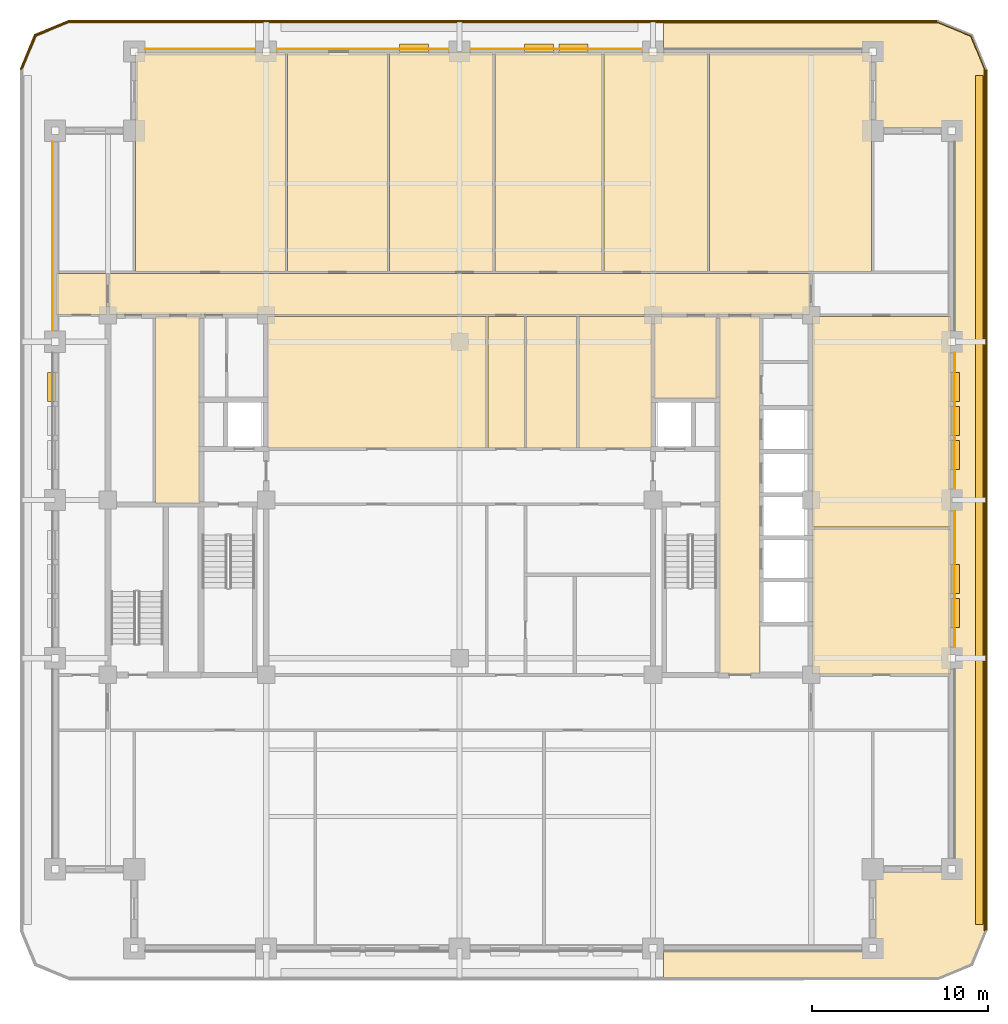
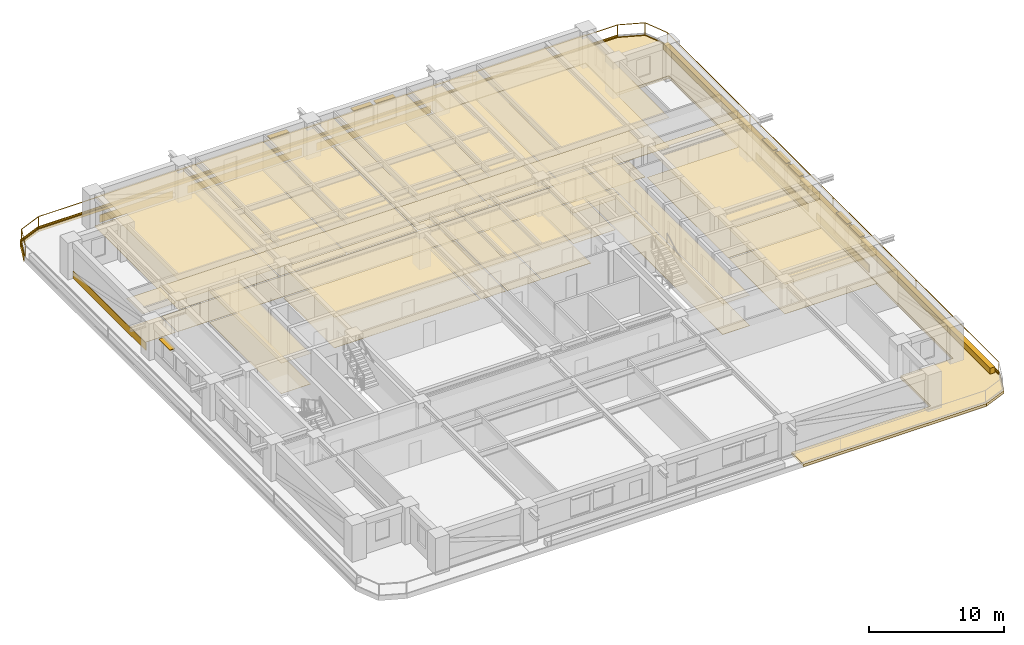
# One storey, part 13 of 14: 46 coverings, 9 shading devices, 2 railings.
"""IFC4 building model written with IfcOpenShell, lengths in metres."""

from ifc_helpers import new_model, si_unit, direction, frame, frame_2d, origin, origin_2d, place, context, subcontext, project, spatial, polyline, rectangle, outline, extrude, material, layer, layer_set, type_object, element, save


model = new_model("IFC4")

# Units and contexts
model_context = context("Model", 3, precision=1e-05, world=origin(), true_north=direction((0.0, 1.0)))
body_context = subcontext(model_context, "Body", "Model", "MODEL_VIEW")
ifc_project = project(units=[si_unit("LENGTHUNIT", "METRE"), si_unit("AREAUNIT", "SQUARE_METRE"), si_unit("VOLUMEUNIT", "CUBIC_METRE"), si_unit("PLANEANGLEUNIT", "RADIAN"), si_unit("MASSUNIT", "GRAM", prefix="KILO")], contexts=[model_context])

# Site, building, storey
site_placement = place(None, origin())
site = spatial("IfcSite", under=ifc_project, at=site_placement, CompositionType="ELEMENT")
building_placement = place(site_placement, origin())
building = spatial("IfcBuilding", under=site, at=building_placement, Name="Zulmaris Gate Convention Tower", CompositionType="ELEMENT")
storey_placement = place(building_placement, frame((0.0, 0.0, 94.929931640625)))
storey = spatial("IfcBuildingStorey", under=building, at=storey_placement, Name="L23", CompositionType="ELEMENT", Elevation=94.929931640625)

# Coverings
ifc_material_1 = material(Name="Precast concrete C40/50", Category="concrete")
ifc_layer_1 = layer(ifc_material_1, 0.0400390625, Name="Precast concrete C40/50")
ifc_layer_set_1 = layer_set([ifc_layer_1], Name="Precast concrete C40/50")
covering_type_1 = type_object("IfcCoveringType", Name="CLAD-SPANDREL-PRECAST", PredefinedType="CLADDING", material=ifc_layer_set_1)
covering_1_placement = place(storey_placement, frame((-11.6298828125, 25.64990234375, 0.0), z_axis=(0.0, 0.0, 1.0), x_axis=(-1.0, 0.0, 0.0)))
element("IfcCovering", 1, at=covering_1_placement, inside=storey, type_object=covering_type_1, Name="CLD-L23-N-0_0", PredefinedType="CLADDING", context=body_context, shape_type="SweptSolid", body=[
    extrude(rectangle(XDim=6.240234375, YDim=0.0400390625, at=frame_2d((3.1201171875, 0.0))), origin(), (0.0, 0.0, 1.0), 0.679931640625),
])
for number, where, z_axis, x_axis, name in (
    (2, (-0.6298828125, 25.64990234375, 0.0), (0.0, 0.0, 1.0), (-1.0, 0.0, 0.0), "CLD-L23-N-1_0"),
    (3, (10.3701171875, 25.64990234375, 0.0), (0.0, 0.0, 1.0), (-1.0, 0.0, 0.0), "CLD-L23-N-2_0"),
):
    element("IfcCovering", number, at=place(storey_placement, frame(where, z_axis=z_axis, x_axis=x_axis)), inside=storey, type_object=covering_type_1, Name=name, PredefinedType="CLADDING", context=body_context, shape_type="SweptSolid", body=[
        extrude(rectangle(XDim=9.740234375, YDim=0.0400390625, at=frame_2d((4.8701171875, 0.0))), origin(), (0.0, 0.0, 1.0), 0.679931640625),
    ])
for number, where, z_axis, x_axis, name in (
    (4, (28.14990234375, -8.3701171875, 0.0), (0.0, 0.0, 1.0), (0.0, 1.0, 0.0), "CLD-L23-E-1_0"),
    (5, (28.14990234375, 0.6298828125, 0.0), (0.0, 0.0, 1.0), (0.0, 1.0, 0.0), "CLD-L23-E-2_0"),
):
    element("IfcCovering", number, at=place(storey_placement, frame(where, z_axis=z_axis, x_axis=x_axis)), inside=storey, type_object=covering_type_1, Name=name, PredefinedType="CLADDING", context=body_context, shape_type="SweptSolid", body=[
        extrude(rectangle(XDim=7.740234375, YDim=0.0400390625, at=frame_2d((3.8701171875, 0.0))), origin(), (0.0, 0.0, 1.0), 0.679931640625),
    ])
covering_2_placement = place(storey_placement, frame((-23.14990234375, 20.3701171875, 0.0), z_axis=(0.0, 0.0, 1.0), x_axis=(0.0, -1.0, 0.0)))
element("IfcCovering", 6, at=covering_2_placement, inside=storey, type_object=covering_type_1, Name="CLD-L23-W-3_0", PredefinedType="CLADDING", context=body_context, shape_type="SweptSolid", body=[
    extrude(rectangle(XDim=10.740234375, YDim=0.0400390625, at=frame_2d((5.3701171875, 0.0))), origin(), (0.0, 0.0, 1.0), 0.679931640625),
])
ifc_material_2 = material(Name="White Glazed Architectural Precast Concrete C40/50", Category="concrete")
ifc_layer_2 = layer(ifc_material_2, 0.239990234375, Name="White Glazed Architectural Precast Concrete C40/50")
ifc_layer_set_2 = layer_set([ifc_layer_2], Name="White Glazed Architectural Precast Concrete C40/50")
covering_type_2 = type_object("IfcCoveringType", Name="CLAD-TRAY-DECK", PredefinedType="CLADDING", material=ifc_layer_set_2)
covering_3_placement = place(storey_placement, frame((0.0, 0.0, -0.25)))
element("IfcCovering", 7, at=covering_3_placement, inside=storey, type_object=covering_type_2, Name="L23 East Rounded-Fascia Planter Tray Deck", PredefinedType="CLADDING", context=body_context, shape_type="SweptSolid", body=[
    extrude(outline(polyline([(27.199951171875, 27.300048828125), (29.179931640625, 26.47998046875), (30.0, 24.5), (30.0, -24.5), (29.179931640625, -26.47998046875), (27.199951171875, -27.300048828125), (11.60205078125, -27.300048828125), (11.60205078125, -25.5), (23.5, -25.5), (23.5, -21.0), (28.0, -21.0), (28.0, 21.0), (23.5, 21.0), (23.5, 25.5), (11.60205078125, 25.5), (11.60205078125, 27.300048828125), (27.199951171875, 27.300048828125)])), origin(), (0.0, 0.0, 1.0), 0.239990234375),
])
ifc_layer_3 = layer(ifc_material_2, 0.080078125, Name="White Glazed Architectural Precast Concrete C40/50")
ifc_layer_set_3 = layer_set([ifc_layer_3], Name="White Glazed Architectural Precast Concrete C40/50")
covering_type_3 = type_object("IfcCoveringType", Name="CLAD-TRAY-FASCIA", PredefinedType="CLADDING", material=ifc_layer_set_3)
covering_4_placement = place(storey_placement, frame((29.9599609375, -24.5, -0.2900390625), z_axis=(0.0, 0.0, 1.0), x_axis=(0.0, 1.0, 0.0)))
element("IfcCovering", 8, at=covering_4_placement, inside=storey, type_object=covering_type_3, Name="FSC-L23-TR-05", PredefinedType="CLADDING", context=body_context, shape_type="SweptSolid", body=[
    extrude(rectangle(XDim=49.0, YDim=0.080078125, at=frame_2d((24.5, 0.0))), origin(), (0.0, 0.0, 1.0), 0.43994140625),
])
covering_5_placement = place(storey_placement, frame((27.199951171875, 27.260009765625, -0.2900390625), z_axis=(0.0, 0.0, 1.0), x_axis=(-1.0, 0.0, 0.0)))
element("IfcCovering", 9, at=covering_5_placement, inside=storey, type_object=covering_type_3, Name="FSC-L23-TR-08", PredefinedType="CLADDING", context=body_context, shape_type="SweptSolid", body=[
    extrude(rectangle(XDim=49.39990234375, YDim=0.080078125, at=frame_2d((24.699951171875, 0.0))), origin(), (0.0, 0.0, 1.0), 0.43994140625),
])
covering_6_placement = place(storey_placement, frame((-22.184814453125, 27.262939453125, -0.2900390625), z_axis=(0.0, 0.0, 1.0), x_axis=(-0.923873803533, -0.382697263049, 0.0)))
element("IfcCovering", 10, at=covering_6_placement, inside=storey, type_object=covering_type_3, Name="FSC-L23-TR-09", PredefinedType="CLADDING", context=body_context, shape_type="SweptSolid", body=[
    extrude(rectangle(XDim=2.142822265625, YDim=0.080078125, at=frame_2d((1.0712890625, 0.0))), origin(), (0.0, 0.0, 1.0), 0.43994140625),
])
covering_7_placement = place(storey_placement, frame((-24.142822265625, 26.464599609375, -0.2900390625), z_axis=(0.0, 0.0, 1.0), x_axis=(-0.382656984709, -0.923890487046, 0.0)))
element("IfcCovering", 11, at=covering_7_placement, inside=storey, type_object=covering_type_3, Name="FSC-L23-TR-10", PredefinedType="CLADDING", context=body_context, shape_type="SweptSolid", body=[
    extrude(rectangle(XDim=2.14306640625, YDim=0.080078125, at=frame_2d((1.071533203125, 0.0))), origin(), (0.0, 0.0, 1.0), 0.43994140625),
])
ifc_material_3 = material(Name="Mineral Fibre Acoustic Ceiling Tile")
ifc_layer_4 = layer(ifc_material_3, 0.02001953125, Name="Mineral Fibre Acoustic Ceiling Tile")
ifc_layer_set_4 = layer_set([ifc_layer_4], Name="Mineral Fibre Acoustic Ceiling Tile")
covering_type_4 = type_object("IfcCoveringType", Name="CLG-ACOUSTIC-600", PredefinedType="CEILING", material=ifc_layer_set_4)
covering_8_placement = place(storey_placement, frame((0.0, 0.0, 2.753173828125)))
element("IfcCovering", 12, at=covering_8_placement, inside=storey, type_object=covering_type_4, Name="CLG-L23-R13", PredefinedType="CEILING", context=body_context, shape_type="SweptSolid", body=[
    extrude(outline(polyline([(11.06005859375, 5.760009765625), (14.639892578125, 5.760009765625), (14.639892578125, 10.43994140625), (11.06005859375, 10.43994140625), (11.06005859375, 5.760009765625)])), origin(), (0.0, 0.0, 1.0), 0.019775390625),
])
covering_9_placement = place(storey_placement, frame((0.0, 0.0, 2.753173828125)))
element("IfcCovering", 13, at=covering_9_placement, inside=storey, type_object=covering_type_4, Name="CLG-L23-R17", PredefinedType="CEILING", context=body_context, shape_type="SweptSolid", body=[
    extrude(outline(polyline([(-17.2900390625, -0.18994140625), (-14.760009765625, -0.18994140625), (-14.760009765625, 10.43994140625), (-17.2900390625, 10.43994140625), (-17.2900390625, -0.18994140625)])), origin(), (0.0, 0.0, 1.0), 0.019775390625),
])
covering_10_placement = place(storey_placement, frame((0.0, 0.0, 2.753173828125)))
element("IfcCovering", 14, at=covering_10_placement, inside=storey, type_object=covering_type_4, Name="CLG-L23-R23", PredefinedType="CEILING", context=body_context, shape_type="SweptSolid", body=[
    extrude(outline(polyline([(14.760009765625, -9.889892578125), (17.090087890625, -9.889892578125), (17.090087890625, 10.43994140625), (14.760009765625, 10.43994140625), (14.760009765625, -9.889892578125)])), origin(), (0.0, 0.0, 1.0), 0.019775390625),
])
covering_11_placement = place(storey_placement, frame((0.0, 0.0, 2.753173828125)))
element("IfcCovering", 15, at=covering_11_placement, inside=storey, type_object=covering_type_4, Name="CLG-L23-R28", PredefinedType="CEILING", context=body_context, shape_type="SweptSolid", body=[
    extrude(outline(polyline([(-19.93994140625, 10.56005859375), (19.93994140625, 10.56005859375), (19.93994140625, 12.889892578125), (-19.93994140625, 12.889892578125), (-19.93994140625, 10.56005859375)])), origin(), (0.0, 0.0, 1.0), 0.019775390625),
])
covering_12_placement = place(storey_placement, frame((0.0, 0.0, 2.753173828125)))
element("IfcCovering", 16, at=covering_12_placement, inside=storey, type_object=covering_type_4, Name="CLG-L23-R31", PredefinedType="CEILING", context=body_context, shape_type="SweptSolid", body=[
    extrude(outline(polyline([(1.610107421875, 2.9599609375), (3.68994140625, 2.9599609375), (3.68994140625, 10.43994140625), (1.610107421875, 10.43994140625), (1.610107421875, 2.9599609375)])), origin(), (0.0, 0.0, 1.0), 0.019775390625),
])
covering_13_placement = place(storey_placement, frame((0.0, 0.0, 2.655029296875)))
element("IfcCovering", 17, at=covering_13_placement, inside=storey, type_object=covering_type_4, Name="CLG-L23-R33", PredefinedType="CEILING", context=body_context, shape_type="SweptSolid", body=[
    extrude(outline(polyline([(-18.43994140625, 13.010009765625), (-9.909912109375, 13.010009765625), (-9.909912109375, 25.43994140625), (-18.43994140625, 25.43994140625), (-18.43994140625, 13.010009765625)])), origin(), (0.0, 0.0, 1.0), 0.02001953125),
])
covering_14_placement = place(storey_placement, frame((0.0, 0.0, 2.655029296875)))
element("IfcCovering", 18, at=covering_14_placement, inside=storey, type_object=covering_type_4, Name="CLG-L23-R34", PredefinedType="CEILING", context=body_context, shape_type="SweptSolid", body=[
    extrude(outline(polyline([(-9.7900390625, 13.010009765625), (-4.110107421875, 13.010009765625), (-4.110107421875, 25.43994140625), (-9.7900390625, 25.43994140625), (-9.7900390625, 13.010009765625)])), origin(), (0.0, 0.0, 1.0), 0.02001953125),
])
covering_15_placement = place(storey_placement, frame((0.0, 0.0, 2.655029296875)))
element("IfcCovering", 19, at=covering_15_placement, inside=storey, type_object=covering_type_4, Name="CLG-L23-R35", PredefinedType="CEILING", context=body_context, shape_type="SweptSolid", body=[
    extrude(outline(polyline([(-3.989990234375, 13.010009765625), (1.889892578125, 13.010009765625), (1.889892578125, 25.43994140625), (-3.989990234375, 25.43994140625), (-3.989990234375, 13.010009765625)])), origin(), (0.0, 0.0, 1.0), 0.02001953125),
])
covering_16_placement = place(storey_placement, frame((0.0, 0.0, 2.655029296875)))
element("IfcCovering", 20, at=covering_16_placement, inside=storey, type_object=covering_type_4, Name="CLG-L23-R36", PredefinedType="CEILING", context=body_context, shape_type="SweptSolid", body=[
    extrude(outline(polyline([(2.010009765625, 13.010009765625), (8.090087890625, 13.010009765625), (8.090087890625, 25.43994140625), (2.010009765625, 25.43994140625), (2.010009765625, 13.010009765625)])), origin(), (0.0, 0.0, 1.0), 0.02001953125),
])
covering_17_placement = place(storey_placement, frame((0.0, 0.0, 2.655029296875)))
element("IfcCovering", 21, at=covering_17_placement, inside=storey, type_object=covering_type_4, Name="CLG-L23-R37", PredefinedType="CEILING", context=body_context, shape_type="SweptSolid", body=[
    extrude(outline(polyline([(8.2099609375, 13.010009765625), (14.090087890625, 13.010009765625), (14.090087890625, 25.43994140625), (8.2099609375, 25.43994140625), (8.2099609375, 13.010009765625)])), origin(), (0.0, 0.0, 1.0), 0.02001953125),
])
covering_18_placement = place(storey_placement, frame((0.0, 0.0, 2.655029296875)))
element("IfcCovering", 22, at=covering_18_placement, inside=storey, type_object=covering_type_4, Name="CLG-L23-R38", PredefinedType="CEILING", context=body_context, shape_type="SweptSolid", body=[
    extrude(outline(polyline([(14.2099609375, 13.010009765625), (23.43994140625, 13.010009765625), (23.43994140625, 25.43994140625), (14.2099609375, 25.43994140625), (14.2099609375, 13.010009765625)])), origin(), (0.0, 0.0, 1.0), 0.02001953125),
])
covering_19_placement = place(storey_placement, frame((0.0, 0.0, 2.753173828125)))
element("IfcCovering", 23, at=covering_19_placement, inside=storey, type_object=covering_type_4, Name="CLG-L23-R42", PredefinedType="CEILING", context=body_context, shape_type="SweptSolid", body=[
    extrude(outline(polyline([(-10.93994140625, 2.9599609375), (1.489990234375, 2.9599609375), (1.489990234375, 10.43994140625), (-10.93994140625, 10.43994140625), (-10.93994140625, 2.9599609375)])), origin(), (0.0, 0.0, 1.0), 0.019775390625),
])
covering_20_placement = place(storey_placement, frame((0.0, 0.0, 2.753173828125)))
element("IfcCovering", 24, at=covering_20_placement, inside=storey, type_object=covering_type_4, Name="CLG-L23-R43", PredefinedType="CEILING", context=body_context, shape_type="SweptSolid", body=[
    extrude(outline(polyline([(3.81005859375, 2.9599609375), (6.659912109375, 2.9599609375), (6.659912109375, 10.43994140625), (3.81005859375, 10.43994140625), (3.81005859375, 2.9599609375)])), origin(), (0.0, 0.0, 1.0), 0.019775390625),
])
covering_21_placement = place(storey_placement, frame((0.0, 0.0, 2.753173828125)))
element("IfcCovering", 25, at=covering_21_placement, inside=storey, type_object=covering_type_4, Name="CLG-L23-R44", PredefinedType="CEILING", context=body_context, shape_type="SweptSolid", body=[
    extrude(outline(polyline([(6.780029296875, 2.9599609375), (10.93994140625, 2.9599609375), (10.93994140625, 10.43994140625), (6.780029296875, 10.43994140625), (6.780029296875, 2.9599609375)])), origin(), (0.0, 0.0, 1.0), 0.019775390625),
])
covering_22_placement = place(storey_placement, frame((0.0, 0.0, 2.655029296875)))
element("IfcCovering", 26, at=covering_22_placement, inside=storey, type_object=covering_type_4, Name="CLG-L23-R49", PredefinedType="CEILING", context=body_context, shape_type="SweptSolid", body=[
    extrude(outline(polyline([(-22.93994140625, 10.56005859375), (-20.06005859375, 10.56005859375), (-20.06005859375, 12.889892578125), (-22.93994140625, 12.889892578125), (-22.93994140625, 10.56005859375)])), origin(), (0.0, 0.0, 1.0), 0.02001953125),
])
covering_23_placement = place(storey_placement, frame((0.0, 0.0, 2.655029296875)))
element("IfcCovering", 27, at=covering_23_placement, inside=storey, type_object=covering_type_4, Name="CLG-L23-R54", PredefinedType="CEILING", context=body_context, shape_type="SweptSolid", body=[
    extrude(outline(polyline([(20.06005859375, -1.5400390625), (27.93994140625, -1.5400390625), (27.93994140625, 10.43994140625), (20.06005859375, 10.43994140625), (20.06005859375, -1.5400390625)])), origin(), (0.0, 0.0, 1.0), 0.02001953125),
])
covering_24_placement = place(storey_placement, frame((0.0, 0.0, 2.655029296875)))
element("IfcCovering", 28, at=covering_24_placement, inside=storey, type_object=covering_type_4, Name="CLG-L23-R55", PredefinedType="CEILING", context=body_context, shape_type="SweptSolid", body=[
    extrude(outline(polyline([(20.06005859375, -9.889892578125), (27.93994140625, -9.889892578125), (27.93994140625, -1.659912109375), (20.06005859375, -1.659912109375), (20.06005859375, -9.889892578125)])), origin(), (0.0, 0.0, 1.0), 0.02001953125),
])
ifc_material_4 = material(Name="Woven Acoustic Wool Carpet Tile")
ifc_layer_5 = layer(ifc_material_4, 0.02001953125, Name="Woven Acoustic Wool Carpet Tile")
ifc_layer_set_5 = layer_set([ifc_layer_5], Name="Woven Acoustic Wool Carpet Tile")
covering_type_5 = type_object("IfcCoveringType", Name="FLR-CARPET-12", PredefinedType="FLOORING", material=ifc_layer_set_5)
covering_25_placement = place(storey_placement, origin())
element("IfcCovering", 29, at=covering_25_placement, inside=storey, type_object=covering_type_5, Name="FLR-L23-R13", PredefinedType="FLOORING", context=body_context, shape_type="SweptSolid", body=[
    extrude(outline(polyline([(11.06005859375, 5.760009765625), (14.639892578125, 5.760009765625), (14.639892578125, 10.43994140625), (11.06005859375, 10.43994140625), (11.06005859375, 5.760009765625)])), origin(), (0.0, 0.0, 1.0), 0.02001953125),
])
covering_26_placement = place(storey_placement, origin())
element("IfcCovering", 30, at=covering_26_placement, inside=storey, type_object=covering_type_5, Name="FLR-L23-R17", PredefinedType="FLOORING", context=body_context, shape_type="SweptSolid", body=[
    extrude(outline(polyline([(-17.2900390625, -0.18994140625), (-14.760009765625, -0.18994140625), (-14.760009765625, 10.43994140625), (-17.2900390625, 10.43994140625), (-17.2900390625, -0.18994140625)])), origin(), (0.0, 0.0, 1.0), 0.02001953125),
])
covering_27_placement = place(storey_placement, origin())
element("IfcCovering", 31, at=covering_27_placement, inside=storey, type_object=covering_type_5, Name="FLR-L23-R23", PredefinedType="FLOORING", context=body_context, shape_type="SweptSolid", body=[
    extrude(outline(polyline([(14.760009765625, -9.889892578125), (17.090087890625, -9.889892578125), (17.090087890625, 10.43994140625), (14.760009765625, 10.43994140625), (14.760009765625, -9.889892578125)])), origin(), (0.0, 0.0, 1.0), 0.02001953125),
])
covering_28_placement = place(storey_placement, origin())
element("IfcCovering", 32, at=covering_28_placement, inside=storey, type_object=covering_type_5, Name="FLR-L23-R28", PredefinedType="FLOORING", context=body_context, shape_type="SweptSolid", body=[
    extrude(outline(polyline([(-19.93994140625, 10.56005859375), (19.93994140625, 10.56005859375), (19.93994140625, 12.889892578125), (-19.93994140625, 12.889892578125), (-19.93994140625, 10.56005859375)])), origin(), (0.0, 0.0, 1.0), 0.02001953125),
])
covering_29_placement = place(storey_placement, origin())
element("IfcCovering", 33, at=covering_29_placement, inside=storey, type_object=covering_type_5, Name="FLR-L23-R31", PredefinedType="FLOORING", context=body_context, shape_type="SweptSolid", body=[
    extrude(outline(polyline([(1.610107421875, 2.9599609375), (3.68994140625, 2.9599609375), (3.68994140625, 10.43994140625), (1.610107421875, 10.43994140625), (1.610107421875, 2.9599609375)])), origin(), (0.0, 0.0, 1.0), 0.02001953125),
])
covering_30_placement = place(storey_placement, origin())
element("IfcCovering", 34, at=covering_30_placement, inside=storey, type_object=covering_type_5, Name="FLR-L23-R34", PredefinedType="FLOORING", context=body_context, shape_type="SweptSolid", body=[
    extrude(outline(polyline([(-9.7900390625, 13.010009765625), (-4.110107421875, 13.010009765625), (-4.110107421875, 25.43994140625), (-9.7900390625, 25.43994140625), (-9.7900390625, 13.010009765625)])), origin(), (0.0, 0.0, 1.0), 0.02001953125),
])
covering_31_placement = place(storey_placement, origin())
element("IfcCovering", 35, at=covering_31_placement, inside=storey, type_object=covering_type_5, Name="FLR-L23-R35", PredefinedType="FLOORING", context=body_context, shape_type="SweptSolid", body=[
    extrude(outline(polyline([(-3.989990234375, 13.010009765625), (1.889892578125, 13.010009765625), (1.889892578125, 25.43994140625), (-3.989990234375, 25.43994140625), (-3.989990234375, 13.010009765625)])), origin(), (0.0, 0.0, 1.0), 0.02001953125),
])
covering_32_placement = place(storey_placement, origin())
element("IfcCovering", 36, at=covering_32_placement, inside=storey, type_object=covering_type_5, Name="FLR-L23-R36", PredefinedType="FLOORING", context=body_context, shape_type="SweptSolid", body=[
    extrude(outline(polyline([(2.010009765625, 13.010009765625), (8.090087890625, 13.010009765625), (8.090087890625, 25.43994140625), (2.010009765625, 25.43994140625), (2.010009765625, 13.010009765625)])), origin(), (0.0, 0.0, 1.0), 0.02001953125),
])
covering_33_placement = place(storey_placement, origin())
element("IfcCovering", 37, at=covering_33_placement, inside=storey, type_object=covering_type_5, Name="FLR-L23-R38", PredefinedType="FLOORING", context=body_context, shape_type="SweptSolid", body=[
    extrude(outline(polyline([(14.2099609375, 13.010009765625), (23.43994140625, 13.010009765625), (23.43994140625, 25.43994140625), (14.2099609375, 25.43994140625), (14.2099609375, 13.010009765625)])), origin(), (0.0, 0.0, 1.0), 0.02001953125),
])
covering_34_placement = place(storey_placement, origin())
element("IfcCovering", 38, at=covering_34_placement, inside=storey, type_object=covering_type_5, Name="FLR-L23-R44", PredefinedType="FLOORING", context=body_context, shape_type="SweptSolid", body=[
    extrude(outline(polyline([(6.780029296875, 2.9599609375), (10.93994140625, 2.9599609375), (10.93994140625, 10.43994140625), (6.780029296875, 10.43994140625), (6.780029296875, 2.9599609375)])), origin(), (0.0, 0.0, 1.0), 0.02001953125),
])
covering_35_placement = place(storey_placement, origin())
element("IfcCovering", 39, at=covering_35_placement, inside=storey, type_object=covering_type_5, Name="FLR-L23-R49", PredefinedType="FLOORING", context=body_context, shape_type="SweptSolid", body=[
    extrude(outline(polyline([(-22.93994140625, 10.56005859375), (-20.06005859375, 10.56005859375), (-20.06005859375, 12.889892578125), (-22.93994140625, 12.889892578125), (-22.93994140625, 10.56005859375)])), origin(), (0.0, 0.0, 1.0), 0.02001953125),
])
covering_36_placement = place(storey_placement, origin())
element("IfcCovering", 40, at=covering_36_placement, inside=storey, type_object=covering_type_5, Name="FLR-L23-R54", PredefinedType="FLOORING", context=body_context, shape_type="SweptSolid", body=[
    extrude(outline(polyline([(20.06005859375, -1.5400390625), (27.93994140625, -1.5400390625), (27.93994140625, 10.43994140625), (20.06005859375, 10.43994140625), (20.06005859375, -1.5400390625)])), origin(), (0.0, 0.0, 1.0), 0.02001953125),
])
covering_37_placement = place(storey_placement, origin())
element("IfcCovering", 41, at=covering_37_placement, inside=storey, type_object=covering_type_5, Name="FLR-L23-R55", PredefinedType="FLOORING", context=body_context, shape_type="SweptSolid", body=[
    extrude(outline(polyline([(20.06005859375, -9.889892578125), (27.93994140625, -9.889892578125), (27.93994140625, -1.659912109375), (20.06005859375, -1.659912109375), (20.06005859375, -9.889892578125)])), origin(), (0.0, 0.0, 1.0), 0.02001953125),
])
ifc_material_5 = material(Name="Polished Granite Terrazzo Tile", Category="masonry")
ifc_layer_6 = layer(ifc_material_5, 0.02001953125, Name="Polished Granite Terrazzo Tile")
ifc_layer_set_6 = layer_set([ifc_layer_6], Name="Polished Granite Terrazzo Tile")
covering_type_6 = type_object("IfcCoveringType", Name="FLR-TERRAZZO-30", PredefinedType="FLOORING", material=ifc_layer_set_6)
covering_38_placement = place(storey_placement, origin())
element("IfcCovering", 42, at=covering_38_placement, inside=storey, type_object=covering_type_6, Name="FLR-L23-R42", PredefinedType="FLOORING", context=body_context, shape_type="SweptSolid", body=[
    extrude(outline(polyline([(-10.93994140625, 2.9599609375), (1.489990234375, 2.9599609375), (1.489990234375, 10.43994140625), (-10.93994140625, 10.43994140625), (-10.93994140625, 2.9599609375)])), origin(), (0.0, 0.0, 1.0), 0.02001953125),
])
ifc_material_6 = material(Name="Engineered Teak Parquet Flooring")
ifc_layer_7 = layer(ifc_material_6, 0.02001953125, Name="Engineered Teak Parquet Flooring")
ifc_layer_set_7 = layer_set([ifc_layer_7], Name="Engineered Teak Parquet Flooring")
covering_type_7 = type_object("IfcCoveringType", Name="FLR-TIMBER-18", PredefinedType="FLOORING", material=ifc_layer_set_7)
covering_39_placement = place(storey_placement, origin())
element("IfcCovering", 43, at=covering_39_placement, inside=storey, type_object=covering_type_7, Name="FLR-L23-R33", PredefinedType="FLOORING", context=body_context, shape_type="SweptSolid", body=[
    extrude(outline(polyline([(-18.43994140625, 13.010009765625), (-9.909912109375, 13.010009765625), (-9.909912109375, 25.43994140625), (-18.43994140625, 25.43994140625), (-18.43994140625, 13.010009765625)])), origin(), (0.0, 0.0, 1.0), 0.02001953125),
])
covering_40_placement = place(storey_placement, origin())
element("IfcCovering", 44, at=covering_40_placement, inside=storey, type_object=covering_type_7, Name="FLR-L23-R37", PredefinedType="FLOORING", context=body_context, shape_type="SweptSolid", body=[
    extrude(outline(polyline([(8.2099609375, 13.010009765625), (14.090087890625, 13.010009765625), (14.090087890625, 25.43994140625), (8.2099609375, 25.43994140625), (8.2099609375, 13.010009765625)])), origin(), (0.0, 0.0, 1.0), 0.02001953125),
])
covering_41_placement = place(storey_placement, origin())
element("IfcCovering", 45, at=covering_41_placement, inside=storey, type_object=covering_type_7, Name="FLR-L23-R43", PredefinedType="FLOORING", context=body_context, shape_type="SweptSolid", body=[
    extrude(outline(polyline([(3.81005859375, 2.9599609375), (6.659912109375, 2.9599609375), (6.659912109375, 10.43994140625), (3.81005859375, 10.43994140625), (3.81005859375, 2.9599609375)])), origin(), (0.0, 0.0, 1.0), 0.02001953125),
])
ifc_material_7 = material(Name="Botanical Green Glazed Precast Concrete C40/50", Category="concrete")
ifc_layer_8 = layer(ifc_material_7, 0.419921875, Name="Botanical Green Glazed Precast Concrete C40/50")
ifc_layer_set_8 = layer_set([ifc_layer_8], Name="Botanical Green Glazed Precast Concrete C40/50")
covering_type_8 = type_object("IfcCoveringType", Name="PLANTER-BOX-200", PredefinedType="CLADDING", material=ifc_layer_set_8)
covering_42_placement = place(storey_placement, frame((0.0, 0.0, -0.010009765625)))
element("IfcCovering", 46, at=covering_42_placement, inside=storey, type_object=covering_type_8, Name="L23 E Full-Length Balcony Tree Planter Trough", PredefinedType="CLADDING", context=body_context, shape_type="SweptSolid", body=[
    extrude(outline(polyline([(29.340087890625, -24.14990234375), (29.760009765625, -24.14990234375), (29.760009765625, 24.14990234375), (29.340087890625, 24.14990234375), (29.340087890625, -24.14990234375)])), origin(), (0.0, 0.0, 1.0), 0.52001953125),
])

# Railings
ifc_material_8 = material(Name="Laminated Glass and Stainless Steel", Category="steel")
railing_type = type_object("IfcRailingType", Name="RL-BALC-1150", PredefinedType="BALUSTRADE", material=ifc_material_8)
railing_1_placement = place(storey_placement, frame((29.8798828125, -24.5, -0.010009765625)))
element("IfcRailing", 47, at=railing_1_placement, inside=storey, type_object=railing_type, Name="RL-L23-BALC-E", PredefinedType="BALUSTRADE", context=body_context, shape_type="SweptSolid", body=[
    extrude(rectangle(XDim=0.048095703125, YDim=0.048095703125, at=origin_2d()), frame((0.0, 0.0, 1.1259765625), z_axis=(0.0, 1.0, 0.0), x_axis=(-1.0, 0.0, 0.0)), (0.0, 0.0, 1.0), 49.0),
    extrude(rectangle(XDim=0.048095703125, YDim=0.048095703125, at=origin_2d()), frame((0.0, 0.0, 0.02392578125), z_axis=(0.0, 1.0, 0.0), x_axis=(-1.0, 0.0, 0.0)), (0.0, 0.0, 1.0), 49.0),
    extrude(rectangle(XDim=0.0419921875, YDim=0.0419921875, at=origin_2d()), origin(), (0.0, 0.0, 1.0), 1.101806640625),
    extrude(rectangle(XDim=0.0419921875, YDim=0.0419921875, at=origin_2d()), frame((0.0, 12.25, 0.0)), (0.0, 0.0, 1.0), 1.101806640625),
    extrude(rectangle(XDim=0.0419921875, YDim=0.0419921875, at=origin_2d()), frame((0.0, 24.5, 0.0)), (0.0, 0.0, 1.0), 1.101806640625),
    extrude(rectangle(XDim=0.0419921875, YDim=0.0419921875, at=origin_2d()), frame((0.0, 36.75, 0.0)), (0.0, 0.0, 1.0), 1.101806640625),
    extrude(rectangle(XDim=0.0419921875, YDim=0.0419921875, at=origin_2d()), frame((0.0, 49.0, 0.0)), (0.0, 0.0, 1.0), 1.101806640625),
])
railing_2_placement = place(storey_placement, frame((29.8798828125, 24.5, -0.010009765625)))
element("IfcRailing", 48, at=railing_2_placement, inside=storey, type_object=railing_type, Name="RL-L23-BALC-N", PredefinedType="BALUSTRADE", context=body_context, shape_type="SweptSolid", body=[
    extrude(rectangle(XDim=0.048095703125, YDim=0.048095703125, at=origin_2d()), frame((0.0, 0.0, 1.1259765625), z_axis=(-0.382670664694, 0.92388482095, 0.0), x_axis=(-0.92388482095, -0.382670664694, 0.0)), (0.0, 0.0, 1.0), 2.051025390625),
    extrude(rectangle(XDim=0.048095703125, YDim=0.048095703125, at=origin_2d()), frame((0.0, 0.0, 0.02392578125), z_axis=(-0.382670664694, 0.92388482095, 0.0), x_axis=(-0.92388482095, -0.382670664694, 0.0)), (0.0, 0.0, 1.0), 2.051025390625),
    extrude(rectangle(XDim=0.048095703125, YDim=0.048095703125, at=origin_2d()), frame((-0.784912109375, 1.89501953125, 1.1259765625), z_axis=(-0.92388482095, 0.382670664694, 0.0), x_axis=(-0.382670664694, -0.92388482095, 0.0)), (0.0, 0.0, 1.0), 2.051025390625),
    extrude(rectangle(XDim=0.048095703125, YDim=0.048095703125, at=origin_2d()), frame((-0.784912109375, 1.89501953125, 0.02392578125), z_axis=(-0.92388482095, 0.382670664694, 0.0), x_axis=(-0.382670664694, -0.92388482095, 0.0)), (0.0, 0.0, 1.0), 2.051025390625),
    extrude(rectangle(XDim=0.048095703125, YDim=0.048095703125, at=origin_2d()), frame((-2.679931640625, 2.679931640625, 1.1259765625), z_axis=(-1.0, 0.0, 0.0), x_axis=(0.0, -1.0, 0.0)), (0.0, 0.0, 1.0), 49.39990234375),
    extrude(rectangle(XDim=0.048095703125, YDim=0.048095703125, at=origin_2d()), frame((-2.679931640625, 2.679931640625, 0.02392578125), z_axis=(-1.0, 0.0, 0.0), x_axis=(0.0, -1.0, 0.0)), (0.0, 0.0, 1.0), 49.39990234375),
    extrude(rectangle(XDim=0.048095703125, YDim=0.048095703125, at=origin_2d()), frame((-52.079833984375, 2.679931640625, 1.1259765625), z_axis=(-0.92388482095, -0.382670664694, 0.0), x_axis=(0.382670664694, -0.92388482095, 0.0)), (0.0, 0.0, 1.0), 2.051025390625),
    extrude(rectangle(XDim=0.048095703125, YDim=0.048095703125, at=origin_2d()), frame((-52.079833984375, 2.679931640625, 0.02392578125), z_axis=(-0.92388482095, -0.382670664694, 0.0), x_axis=(0.382670664694, -0.92388482095, 0.0)), (0.0, 0.0, 1.0), 2.051025390625),
    extrude(rectangle(XDim=0.048095703125, YDim=0.048095703125, at=origin_2d()), frame((-53.974853515625, 1.89501953125, 1.1259765625), z_axis=(-0.382670664694, -0.92388482095, 0.0), x_axis=(0.92388482095, -0.382670664694, 0.0)), (0.0, 0.0, 1.0), 2.051025390625),
    extrude(rectangle(XDim=0.048095703125, YDim=0.048095703125, at=origin_2d()), frame((-53.974853515625, 1.89501953125, 0.02392578125), z_axis=(-0.382670664694, -0.92388482095, 0.0), x_axis=(0.92388482095, -0.382670664694, 0.0)), (0.0, 0.0, 1.0), 2.051025390625),
    extrude(rectangle(XDim=0.0419921875, YDim=0.0419921875, at=origin_2d()), origin(), (0.0, 0.0, 1.0), 1.101806640625),
    extrude(rectangle(XDim=0.0419921875, YDim=0.0419921875, at=origin_2d()), frame((-0.784912109375, 1.89501953125, 0.0)), (0.0, 0.0, 1.0), 1.101806640625),
    extrude(rectangle(XDim=0.0419921875, YDim=0.0419921875, at=origin_2d()), frame((-2.679931640625, 2.679931640625, 0.0)), (0.0, 0.0, 1.0), 1.101806640625),
    extrude(rectangle(XDim=0.0419921875, YDim=0.0419921875, at=origin_2d()), frame((-15.02978515625, 2.679931640625, 0.0)), (0.0, 0.0, 1.0), 1.101806640625),
    extrude(rectangle(XDim=0.0419921875, YDim=0.0419921875, at=origin_2d()), frame((-27.3798828125, 2.679931640625, 0.0)), (0.0, 0.0, 1.0), 1.101806640625),
    extrude(rectangle(XDim=0.0419921875, YDim=0.0419921875, at=origin_2d()), frame((-39.72998046875, 2.679931640625, 0.0)), (0.0, 0.0, 1.0), 1.101806640625),
    extrude(rectangle(XDim=0.0419921875, YDim=0.0419921875, at=origin_2d()), frame((-52.079833984375, 2.679931640625, 0.0)), (0.0, 0.0, 1.0), 1.101806640625),
    extrude(rectangle(XDim=0.0419921875, YDim=0.0419921875, at=origin_2d()), frame((-53.974853515625, 1.89501953125, 0.0)), (0.0, 0.0, 1.0), 1.101806640625),
    extrude(rectangle(XDim=0.0419921875, YDim=0.0419921875, at=origin_2d()), frame((-54.759765625, 0.0, 0.0)), (0.0, 0.0, 1.0), 1.101806640625),
])

# Shading devices
ifc_material_9 = material(Name="Glazed Ceramic Terracotta", Category="masonry")
ifc_layer_9 = layer(ifc_material_9, 0.070068359375, Name="Glazed Ceramic Terracotta")
ifc_layer_set_9 = layer_set([ifc_layer_9], Name="Glazed Ceramic Terracotta")
shading_device_type = type_object("IfcShadingDeviceType", Name="SHD-SUNSHADE-TC", PredefinedType="AWNING", material=ifc_layer_set_9)
for number, where, z_axis, x_axis, name in (
    (49, (-1.7529296875, 25.719970703125, 2.530029296875), (0.0, 0.0, 1.0), (-1.0, 0.0, 0.0), "SHD-EW-L23-N-1_0-1"),
    (50, (7.299072265625, 25.719970703125, 2.530029296875), (0.0, 0.0, 1.0), (-1.0, 0.0, 0.0), "SHD-EW-L23-N-2_0-2"),
    (51, (5.35107421875, 25.719970703125, 2.530029296875), (0.0, 0.0, 1.0), (-1.0, 0.0, 0.0), "SHD-EW-L23-N-2_0-3"),
):
    element("IfcShadingDevice", number, at=place(storey_placement, frame(where, z_axis=z_axis, x_axis=x_axis)), inside=storey, type_object=shading_device_type, Name=name, PredefinedType="AWNING", context=body_context, shape_type="SweptSolid", body=[
        extrude(rectangle(XDim=1.650146484375, YDim=0.43994140625, at=frame_2d((0.8251953125, 0.0))), origin(), (0.0, 0.0, 1.0), 0.06982421875),
    ])
for number, where, z_axis, x_axis, name in (
    (52, (28.219970703125, -7.260009765625, 2.530029296875), (0.0, 0.0, 1.0), (0.0, 1.0, 0.0), "SHD-EW-L23-E-1_0-1"),
    (53, (28.219970703125, -5.324951171875, 2.530029296875), (0.0, 0.0, 1.0), (0.0, 1.0, 0.0), "SHD-EW-L23-E-1_0-2"),
    (54, (28.219970703125, 1.739990234375, 2.530029296875), (0.0, 0.0, 1.0), (0.0, 1.0, 0.0), "SHD-EW-L23-E-2_0-1"),
    (55, (28.219970703125, 3.675048828125, 2.530029296875), (0.0, 0.0, 1.0), (0.0, 1.0, 0.0), "SHD-EW-L23-E-2_0-2"),
    (56, (28.219970703125, 5.610107421875, 2.530029296875), (0.0, 0.0, 1.0), (0.0, 1.0, 0.0), "SHD-EW-L23-E-2_0-3"),
    (57, (-23.219970703125, 7.260009765625, 2.530029296875), (0.0, 0.0, 1.0), (0.0, -1.0, 0.0), "SHD-EW-L23-W-2_0-1"),
):
    element("IfcShadingDevice", number, at=place(storey_placement, frame(where, z_axis=z_axis, x_axis=x_axis)), inside=storey, type_object=shading_device_type, Name=name, PredefinedType="AWNING", context=body_context, shape_type="SweptSolid", body=[
        extrude(rectangle(XDim=1.64990234375, YDim=0.43994140625, at=frame_2d((0.824951171875, 0.0))), origin(), (0.0, 0.0, 1.0), 0.06982421875),
    ])

save(model, "model.ifc")
